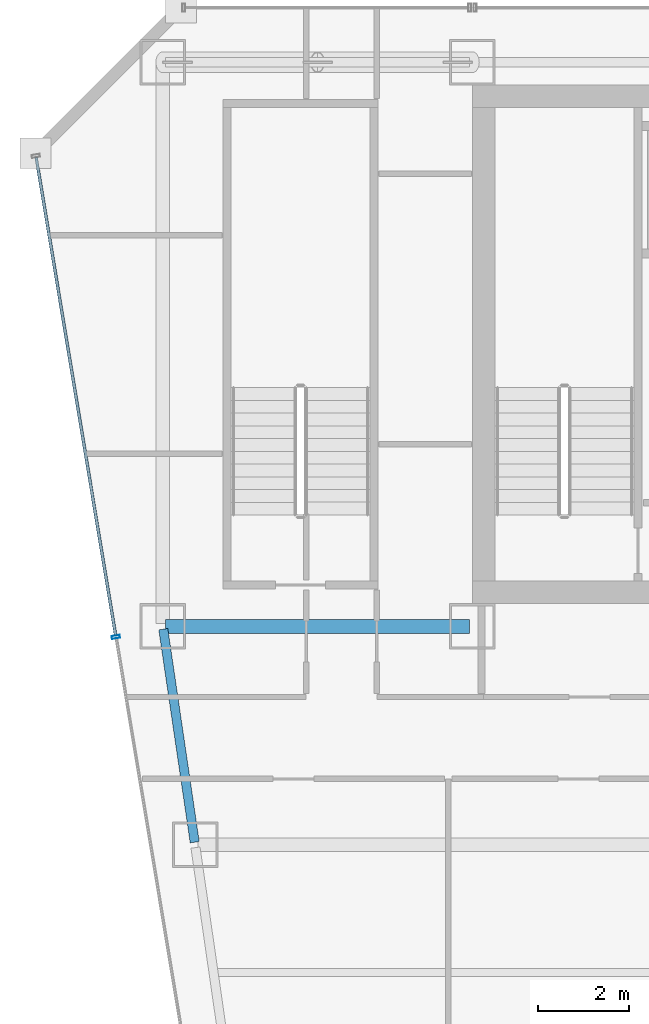
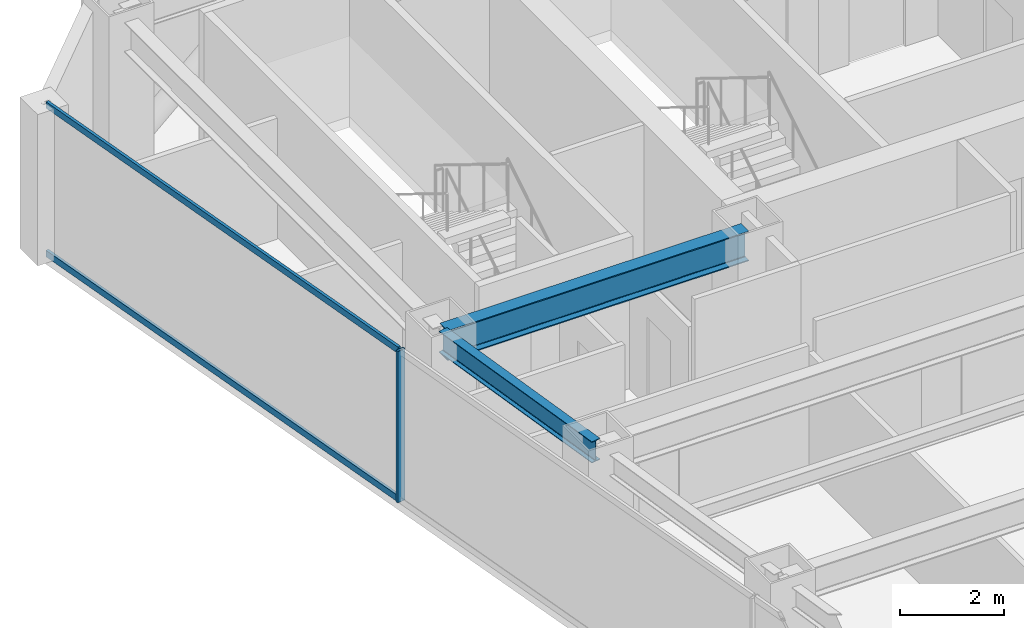
# One storey, part 19 of 37: 3 members, 2 beams, 1 element without a shape of its own.
"""IFC4 building model written with IfcOpenShell, lengths in metres."""

from ifc_helpers import new_model, si_unit, direction, frame, origin, origin_2d, place, context, subcontext, project, spatial, hollow_rectangle, i_section, extrude, material, material_profile, profile_set, type_object, element, aggregate, save


model = new_model("IFC4")

# Units and contexts
model_context = context("Model", 3, precision=1e-05, world=origin(), true_north=direction((0.0, 1.0)))
body_context = subcontext(model_context, "Body", "Model", "MODEL_VIEW")
ifc_project = project(units=[si_unit("LENGTHUNIT", "METRE"), si_unit("AREAUNIT", "SQUARE_METRE"), si_unit("VOLUMEUNIT", "CUBIC_METRE"), si_unit("PLANEANGLEUNIT", "RADIAN"), si_unit("MASSUNIT", "GRAM", prefix="KILO")], contexts=[model_context])

# Site, building, storey
site_placement = place(None, origin())
site = spatial("IfcSite", under=ifc_project, at=site_placement, CompositionType="ELEMENT")
building_placement = place(site_placement, origin())
building = spatial("IfcBuilding", under=site, at=building_placement, Name="Saevonmaru Cultural Tower", CompositionType="ELEMENT")
storey_placement = place(building_placement, frame((0.0, 0.0, 160.0)))
storey = spatial("IfcBuildingStorey", under=building, at=storey_placement, Name="L35", CompositionType="ELEMENT", Elevation=160.0)

# Beams
ifc_material_1 = material(Name="Steel SM355", Category="steel")
ifc_material_profile_1 = material_profile(ifc_material_1, i_section(OverallWidth=0.300048828125, OverallDepth=0.699951171875, WebThickness=0.012939453125, FlangeThickness=0.02392578125, FilletRadius=0.02587890625, at=origin_2d()), Name="H-700x300x13x24")
ifc_profile_set_1 = profile_set([ifc_material_profile_1], Name="Steel SM355")
beam_type_1 = type_object("IfcBeamType", Name="BM-G-H700", PredefinedType="BEAM", material=ifc_profile_set_1)
beam_1_placement = place(storey_placement, frame((6.860107421875, 42.39990234375, 3.199951171875), z_axis=(1.0, 0.0, 0.0), x_axis=(0.0, 1.0, 0.0)))
element("IfcBeam", 1, at=beam_1_placement, inside=storey, type_object=beam_type_1, Name="L35 Core South Girder 1", PredefinedType="BEAM", context=body_context, shape_type="SweptSolid", body=[
    extrude(i_section(OverallWidth=0.300048828125, OverallDepth=0.699951171875, WebThickness=0.012939453125, FlangeThickness=0.02392578125, FilletRadius=0.02587890625, at=origin_2d()), origin(), (0.0, 0.0, 1.0), 6.679931640625),
])
ifc_material_profile_2 = material_profile(ifc_material_1, i_section(OverallWidth=0.199951171875, OverallDepth=0.5, WebThickness=0.010009765625, FlangeThickness=0.01611328125, FilletRadius=0.02001953125, at=origin_2d()), Name="H-500x200x10x16")
ifc_profile_set_2 = profile_set([ifc_material_profile_2], Name="Steel SM355")
beam_type_2 = type_object("IfcBeamType", Name="BM-SP-H500", PredefinedType="SPANDREL", material=ifc_profile_set_2)
beam_2_placement = place(storey_placement, frame((7.499267578125, 37.659423828125, 3.300048828125), z_axis=(-0.145912860028, 0.989297446312, 0.0), x_axis=(-0.989297446312, -0.145912860028, 0.0)))
element("IfcBeam", 2, at=beam_2_placement, inside=storey, type_object=beam_type_2, Name="L35 West Splayed Spandrel 5", PredefinedType="SPANDREL", context=body_context, shape_type="SweptSolid", body=[
    extrude(i_section(OverallWidth=0.199951171875, OverallDepth=0.5, WebThickness=0.010009765625, FlangeThickness=0.01611328125, FilletRadius=0.02001953125, at=origin_2d()), origin(), (0.0, 0.0, 1.0), 4.731689453125),
])

# Curtain wall, members
ifc_material_2 = material(Name="Satin Bronze Anodised Aluminium", Category="aluminium")
curtain_wall_type = type_object("IfcCurtainWallType", Name="CW-TYP-A", PredefinedType="NOTDEFINED", material=ifc_material_2)
curtain_wall_placement = place(storey_placement, origin())
curtain_wall = element("IfcCurtainWall", 3, at=curtain_wall_placement, inside=storey, type_object=curtain_wall_type, Name="L35 Unitised Curtain Wall E12", PredefinedType="NOTDEFINED")
ifc_material_profile_3 = material_profile(ifc_material_2, hollow_rectangle(XDim=0.06494140625, YDim=0.179931640625, WallThickness=0.00390625, at=origin_2d()), Name="ALU-MULL-180x65x4")
ifc_profile_set_3 = profile_set([ifc_material_profile_3], Name="Satin Bronze Anodised Aluminium")
member_type_1 = type_object("IfcMemberType", Name="ML-CW-180x65", PredefinedType="MULLION", material=ifc_profile_set_3)
member_1_placement = place(storey_placement, frame((5.76708984375, 42.17041015625, 0.0), z_axis=(0.0, 0.0, 1.0), x_axis=(0.163998702345, -0.986460554523, 0.0)))
member_1 = element("IfcMember", 4, at=member_1_placement, type_object=member_type_1, Name="CW-TW-L35-E12 mullion 2", PredefinedType="MULLION", context=body_context, shape_type="SweptSolid", body=[
    extrude(hollow_rectangle(XDim=0.06494140625, YDim=0.179931640625, WallThickness=0.00390625, at=origin_2d()), origin(), (0.0, 0.0, 1.0), 3.550048828125),
])
ifc_material_profile_4 = material_profile(ifc_material_2, hollow_rectangle(XDim=0.06494140625, YDim=0.14990234375, WallThickness=0.00390625, at=origin_2d()), Name="ALU-TRAN-150x65x4")
ifc_profile_set_4 = profile_set([ifc_material_profile_4], Name="Satin Bronze Anodised Aluminium")
member_type_2 = type_object("IfcMemberType", Name="TR-CW-150x65", PredefinedType="USERDEFINED", material=ifc_profile_set_4)
member_2_placement = place(storey_placement, frame((4.01513671875, 52.708740234375, 0.032470703125), z_axis=(0.163990079074, -0.9864619881, 0.0), x_axis=(0.9864619881, 0.163990079074, 0.0)))
member_2 = element("IfcMember", 5, at=member_2_placement, type_object=member_type_2, Name="CW-TW-L35-E12 transom 1.1", ObjectType="TRANSOM", PredefinedType="USERDEFINED", context=body_context, shape_type="SweptSolid", body=[
    extrude(hollow_rectangle(XDim=0.06494140625, YDim=0.14990234375, WallThickness=0.00390625, at=origin_2d()), origin(), (0.0, 0.0, 1.0), 10.650634765625),
])
member_3_placement = place(storey_placement, frame((4.01513671875, 52.708740234375, 3.517578125), z_axis=(0.163990079074, -0.9864619881, 0.0), x_axis=(0.9864619881, 0.163990079074, 0.0)))
member_3 = element("IfcMember", 6, at=member_3_placement, type_object=member_type_2, Name="CW-TW-L35-E12 transom 1.2", ObjectType="TRANSOM", PredefinedType="USERDEFINED", context=body_context, shape_type="SweptSolid", body=[
    extrude(hollow_rectangle(XDim=0.06494140625, YDim=0.14990234375, WallThickness=0.00390625, at=origin_2d()), origin(), (0.0, 0.0, 1.0), 10.650634765625),
])
aggregate(curtain_wall, [member_1, member_2, member_3])

save(model, "model.ifc")
